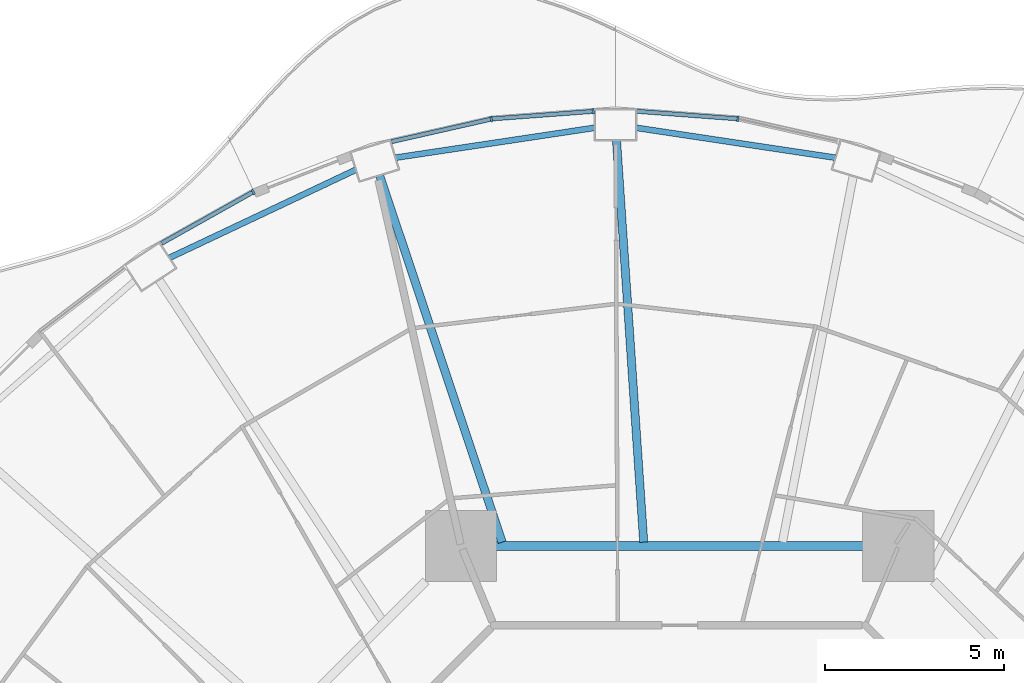
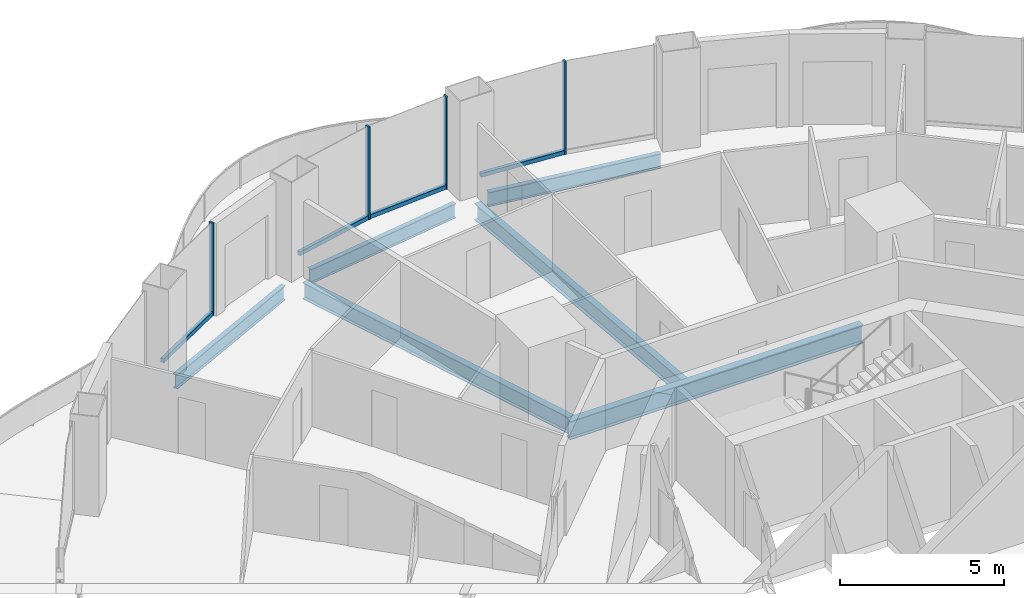
# One storey, part 7 of 20: 8 members, 6 beams, 4 elements without a shape of their own.
"""IFC4 building model written with IfcOpenShell, lengths in metres."""

from ifc_helpers import new_model, si_unit, direction, frame, origin, origin_2d, place, context, subcontext, project, spatial, rectangle, i_section, extrude, material, layer, layer_set, material_profile, profile_set, type_object, element, aggregate, save


model = new_model("IFC4")

# Units and contexts
model_context = context("Model", 3, precision=1e-05, world=origin(), true_north=direction((0.0, 1.0)))
body_context = subcontext(model_context, "Body", "Model", "MODEL_VIEW")
ifc_project = project(units=[si_unit("LENGTHUNIT", "METRE"), si_unit("AREAUNIT", "SQUARE_METRE"), si_unit("VOLUMEUNIT", "CUBIC_METRE"), si_unit("PLANEANGLEUNIT", "RADIAN"), si_unit("MASSUNIT", "GRAM", prefix="KILO")], contexts=[model_context])

# Site, building, storey
site_placement = place(None, origin())
site = spatial("IfcSite", under=ifc_project, at=site_placement, CompositionType="ELEMENT")
building_placement = place(site_placement, origin())
building = spatial("IfcBuilding", under=site, at=building_placement, Name="Nagisa Residences", CompositionType="ELEMENT")
storey_placement = place(building_placement, frame((0.0, 0.0, 130.699951171875)))
storey = spatial("IfcBuildingStorey", under=building, at=storey_placement, Name="L32", CompositionType="ELEMENT", Elevation=130.699951171875)

# Curtain wall, member
ifc_material_1 = material(Name="Concrete-coloured aluminium curtain wall system", Category="concrete")
ifc_layer = layer(ifc_material_1, 0.159912109375)
ifc_layer_set = layer_set([ifc_layer], Name="CW1 CURTAIN WALL")
curtain_wall_type = type_object("IfcCurtainWallType", Name="CW1 CURTAIN WALL", PredefinedType="NOTDEFINED", material=ifc_layer_set)
curtain_wall_1_placement = place(storey_placement, origin())
curtain_wall_1 = element("IfcCurtainWall", 1, at=curtain_wall_1_placement, inside=storey, type_object=curtain_wall_type, Name="cw:CW1:L32:11", PredefinedType="NOTDEFINED")
ifc_material_2 = material(Name="Concrete-coloured aluminium", Category="concrete")
ifc_material_profile_1 = material_profile(ifc_material_2, rectangle(XDim=0.159912109375, YDim=0.06005859375, at=origin_2d()), Name="CW1 MULLION 160x60")
ifc_profile_set_1 = profile_set([ifc_material_profile_1], Name="Concrete-coloured aluminium")
member_type_1 = type_object("IfcMemberType", Name="CW1 MULLION 160x60", PredefinedType="MULLION", material=ifc_profile_set_1)
member_1_placement = place(storey_placement, frame((1.627685546875, 26.741455078125, 0.0), z_axis=(0.0, 0.0, 1.0), x_axis=(-0.074377355493, -0.997230168512, 0.0)))
member_1 = element("IfcMember", 2, at=member_1_placement, type_object=member_type_1, Name="CW1 mullion", PredefinedType="MULLION", context=body_context, shape_type="SweptSolid", body=[
    extrude(rectangle(XDim=0.159912109375, YDim=0.06005859375, at=origin_2d()), origin(), (0.0, 0.0, 1.0), 3.43994140625),
])

curtain_wall_2_placement = place(storey_placement, origin())
curtain_wall_2 = element("IfcCurtainWall", 3, at=curtain_wall_2_placement, inside=storey, type_object=curtain_wall_type, Name="cw:CW1:L32:12", PredefinedType="NOTDEFINED")
member_2_placement = place(storey_placement, frame((-2.42236328125, 26.95068359375, 0.0), z_axis=(0.0, 0.0, 1.0), x_axis=(0.074377355493, -0.997230168512, 0.0)))
member_2 = element("IfcMember", 4, at=member_2_placement, type_object=member_type_1, Name="CW1 mullion", PredefinedType="MULLION", context=body_context, shape_type="SweptSolid", body=[
    extrude(rectangle(XDim=0.159912109375, YDim=0.06005859375, at=origin_2d()), origin(), (0.0, 0.0, 1.0), 3.43994140625),
])

curtain_wall_3_placement = place(storey_placement, origin())
curtain_wall_3 = element("IfcCurtainWall", 5, at=curtain_wall_3_placement, inside=storey, type_object=curtain_wall_type, Name="cw:CW1:L32:13", PredefinedType="NOTDEFINED")
member_3_placement = place(storey_placement, frame((-5.275146484375, 26.734375, 0.0), z_axis=(0.0, 0.0, 1.0), x_axis=(0.2207639201, -0.975327274089, 0.0)))
member_3 = element("IfcMember", 6, at=member_3_placement, type_object=member_type_1, Name="CW1 mullion", PredefinedType="MULLION", context=body_context, shape_type="SweptSolid", body=[
    extrude(rectangle(XDim=0.159912109375, YDim=0.06005859375, at=origin_2d()), origin(), (0.0, 0.0, 1.0), 3.43994140625),
])

curtain_wall_4_placement = place(storey_placement, origin())
curtain_wall_4 = element("IfcCurtainWall", 7, at=curtain_wall_4_placement, inside=storey, type_object=curtain_wall_type, Name="cw:CW1:L32:15", PredefinedType="NOTDEFINED")
member_4_placement = place(storey_placement, frame((-11.94140625, 24.6943359375, 0.0), z_axis=(0.0, 0.0, 1.0), x_axis=(0.489376918501, -0.872072377523, 0.0)))
member_4 = element("IfcMember", 8, at=member_4_placement, type_object=member_type_1, Name="CW1 mullion", PredefinedType="MULLION", context=body_context, shape_type="SweptSolid", body=[
    extrude(rectangle(XDim=0.159912109375, YDim=0.06005859375, at=origin_2d()), origin(), (0.0, 0.0, 1.0), 3.43994140625),
])

# Member
ifc_material_3 = material(Name="Concrete-coloured aluminium", Category="concrete")
ifc_material_profile_2 = material_profile(ifc_material_3, rectangle(XDim=0.1201171875, YDim=0.14990234375, at=origin_2d()), Name="CW1 TRANSOM 120x150")
ifc_profile_set_2 = profile_set([ifc_material_profile_2], Name="Concrete-coloured aluminium")
member_type_2 = type_object("IfcMemberType", Name="CW1 TRANSOM 120x150", PredefinedType="USERDEFINED", material=ifc_profile_set_2)
member_5_placement = place(storey_placement, frame((1.657470703125, 26.7392578125, 0.074951171875), z_axis=(-0.997231697044, 0.074356858535, 0.0), x_axis=(-0.074356858535, -0.997231697044, 0.0)))
member_5 = element("IfcMember", 9, at=member_5_placement, type_object=member_type_2, Name="CW1 transom", ObjectType="TRANSOM", PredefinedType="USERDEFINED", context=body_context, shape_type="SweptSolid", body=[
    extrude(rectangle(XDim=0.1201171875, YDim=0.14990234375, at=origin_2d()), origin(), (0.0, 0.0, 1.0), 2.873046875),
])

aggregate(curtain_wall_1, [member_1, member_5])

member_6_placement = place(storey_placement, frame((-2.392333984375, 26.952880859375, 0.074951171875), z_axis=(-0.997232166829, -0.074350557769, 0.0), x_axis=(0.074350557769, -0.997232166829, 0.0)))
member_6 = element("IfcMember", 10, at=member_6_placement, type_object=member_type_2, Name="CW1 transom", ObjectType="TRANSOM", PredefinedType="USERDEFINED", context=body_context, shape_type="SweptSolid", body=[
    extrude(rectangle(XDim=0.1201171875, YDim=0.14990234375, at=origin_2d()), origin(), (0.0, 0.0, 1.0), 2.873291015625),
])

aggregate(curtain_wall_2, [member_2, member_6])

member_7_placement = place(storey_placement, frame((-5.245849609375, 26.740966796875, 0.074951171875), z_axis=(-0.975320849653, -0.220792301117, 0.0), x_axis=(0.220792301117, -0.975320849653, 0.0)))
member_7 = element("IfcMember", 11, at=member_7_placement, type_object=member_type_2, Name="CW1 transom", ObjectType="TRANSOM", PredefinedType="USERDEFINED", context=body_context, shape_type="SweptSolid", body=[
    extrude(rectangle(XDim=0.1201171875, YDim=0.14990234375, at=origin_2d()), origin(), (0.0, 0.0, 1.0), 2.890380859375),
])

aggregate(curtain_wall_3, [member_3, member_7])

member_8_placement = place(storey_placement, frame((-11.915283203125, 24.708984375, 0.074951171875), z_axis=(-0.872101969379, -0.489324181914, 0.0), x_axis=(0.489324181914, -0.872101969379, 0.0)))
member_8 = element("IfcMember", 12, at=member_8_placement, type_object=member_type_2, Name="CW1 transom", ObjectType="TRANSOM", PredefinedType="USERDEFINED", context=body_context, shape_type="SweptSolid", body=[
    extrude(rectangle(XDim=0.1201171875, YDim=0.14990234375, at=origin_2d()), origin(), (0.0, 0.0, 1.0), 2.9697265625),
])

aggregate(curtain_wall_4, [member_4, member_8])

# Beams
ifc_material_4 = material(Name="Steel ASTM A572 Gr 50", Category="steel")
ifc_material_profile_3 = material_profile(ifc_material_4, i_section(OverallWidth=0.25390625, OverallDepth=0.68408203125, WebThickness=0.012451171875, FlangeThickness=0.018798828125, at=origin_2d()), Name="W690x140")
ifc_profile_set_3 = profile_set([ifc_material_profile_3], Name="Steel ASTM A572 Gr 50")
beam_type_1 = type_object("IfcBeamType", Name="Inner ring beam W690x140", PredefinedType="BEAM", material=ifc_profile_set_3)
beam_1_placement = place(storey_placement, frame((5.142822265625, 14.781982421875, -0.60205078125), z_axis=(-1.0, 0.0, 0.0), x_axis=(0.0, -1.0, 0.0)))
element("IfcBeam", 13, at=beam_1_placement, inside=storey, type_object=beam_type_1, Name="beam:L32:ib2", PredefinedType="BEAM", context=body_context, shape_type="SweptSolid", body=[
    extrude(i_section(OverallWidth=0.25390625, OverallDepth=0.68408203125, WebThickness=0.012451171875, FlangeThickness=0.018798828125, at=origin_2d()), origin(), (0.0, 0.0, 1.0), 10.28564453125),
])
ifc_material_5 = material(Name="Steel ASTM A572 Gr 50", Category="steel")
ifc_material_profile_4 = material_profile(ifc_material_5, i_section(OverallWidth=0.166015625, OverallDepth=0.534912109375, WebThickness=0.01025390625, FlangeThickness=0.0166015625, at=origin_2d()), Name="W530x85")
ifc_profile_set_4 = profile_set([ifc_material_profile_4], Name="Steel ASTM A572 Gr 50")
beam_type_2 = type_object("IfcBeamType", Name="Perimeter ring beam W530x85", PredefinedType="BEAM", material=ifc_profile_set_4)
for number, where, z_axis, x_axis, name in (
    (14, (4.3583984375, 25.652587890625, -0.52734375), (-0.9889122118, 0.148501304214, 0.0), (-0.148501304214, -0.9889122118, 0.0), "beam:L32:pb06"),
    (15, (-2.380126953125, 26.490234375, -0.52734375), (-0.9889122118, -0.148501304214, 0.0), (0.148501304214, -0.9889122118, 0.0), "beam:L32:pb07"),
):
    element("IfcBeam", number, at=place(storey_placement, frame(where, z_axis=z_axis, x_axis=x_axis)), inside=storey, type_object=beam_type_2, Name=name, PredefinedType="BEAM", context=body_context, shape_type="SweptSolid", body=[
        extrude(i_section(OverallWidth=0.166015625, OverallDepth=0.534912109375, WebThickness=0.01025390625, FlangeThickness=0.0166015625, at=origin_2d()), origin(), (0.0, 0.0, 1.0), 5.640625),
    ])
beam_2_placement = place(storey_placement, frame((-9.068603515625, 25.31494140625, -0.52734375), z_axis=(-0.904169699539, -0.427173447719, 0.0), x_axis=(0.427173447719, -0.904169699539, 0.0)))
element("IfcBeam", 16, at=beam_2_placement, inside=storey, type_object=beam_type_2, Name="beam:L32:pb08", PredefinedType="BEAM", context=body_context, shape_type="SweptSolid", body=[
    extrude(i_section(OverallWidth=0.166015625, OverallDepth=0.534912109375, WebThickness=0.01025390625, FlangeThickness=0.0166015625, at=origin_2d()), origin(), (0.0, 0.0, 1.0), 5.7724609375),
])
ifc_material_6 = material(Name="Steel ASTM A572 Gr 50", Category="steel")
ifc_material_profile_5 = material_profile(ifc_material_6, i_section(OverallWidth=0.22900390625, OverallDepth=0.612060546875, WebThickness=0.011962890625, FlangeThickness=0.01953125, at=origin_2d()), Name="W610x125")
ifc_profile_set_5 = profile_set([ifc_material_profile_5], Name="Steel ASTM A572 Gr 50")
beam_type_3 = type_object("IfcBeamType", Name="Radial beam W610x125", PredefinedType="BEAM", material=ifc_profile_set_5)
beam_3_placement = place(storey_placement, frame((-1.77099609375, 26.147216796875, -0.56591796875), z_axis=(0.067591690418, -0.997713066661, 0.0), x_axis=(0.997713066661, 0.067591690418, 0.0)))
element("IfcBeam", 17, at=beam_3_placement, inside=storey, type_object=beam_type_3, Name="beam:L32:rb07", PredefinedType="BEAM", context=body_context, shape_type="SweptSolid", body=[
    extrude(i_section(OverallWidth=0.22900390625, OverallDepth=0.612060546875, WebThickness=0.011962890625, FlangeThickness=0.01953125, at=origin_2d()), origin(), (0.0, 0.0, 1.0), 11.283935546875),
])
beam_4_placement = place(storey_placement, frame((-8.402099609375, 25.157470703125, -0.56591796875), z_axis=(0.316789297789, -0.948495936104, 0.0), x_axis=(0.948495936104, 0.316789297789, 0.0)))
element("IfcBeam", 18, at=beam_4_placement, inside=storey, type_object=beam_type_3, Name="beam:L32:rb08", PredefinedType="BEAM", context=body_context, shape_type="SweptSolid", body=[
    extrude(i_section(OverallWidth=0.22900390625, OverallDepth=0.612060546875, WebThickness=0.011962890625, FlangeThickness=0.01953125, at=origin_2d()), origin(), (0.0, 0.0, 1.0), 10.824951171875),
])

save(model, "model.ifc")
